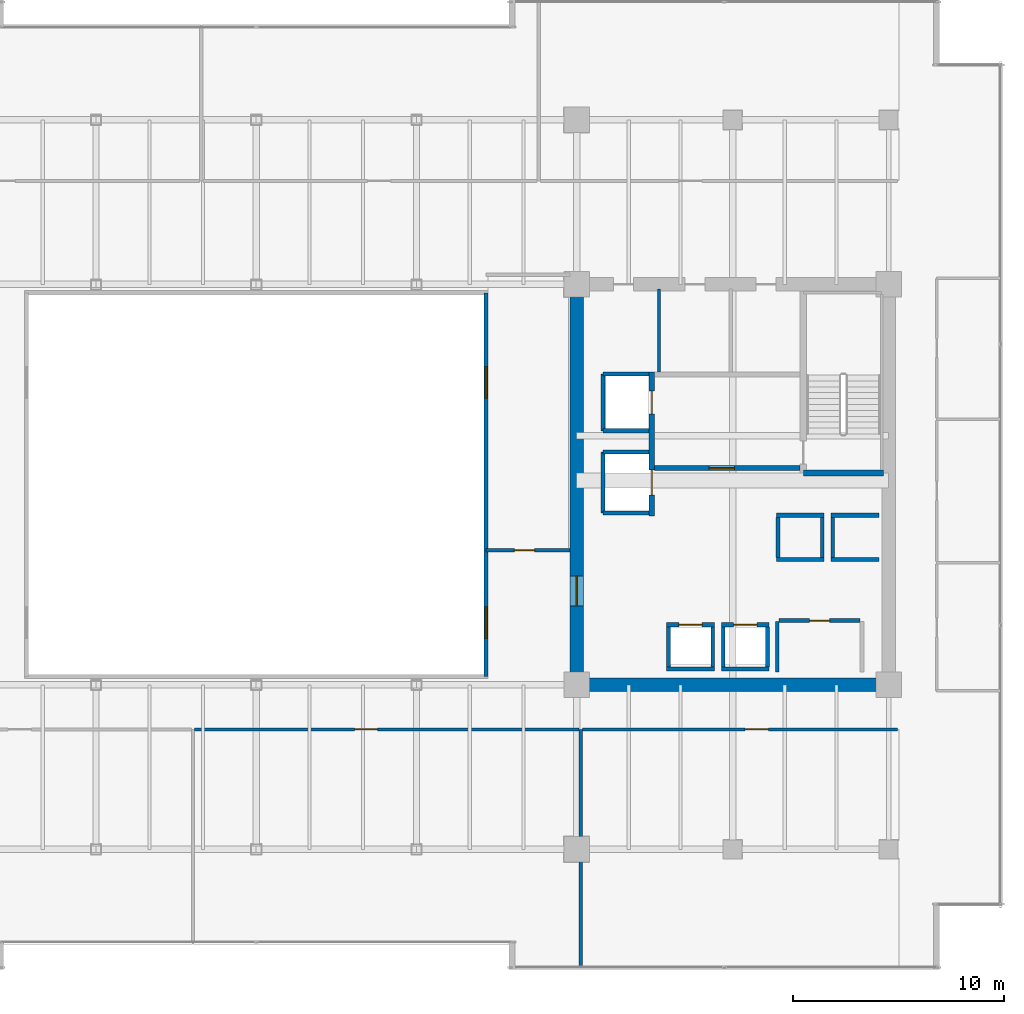
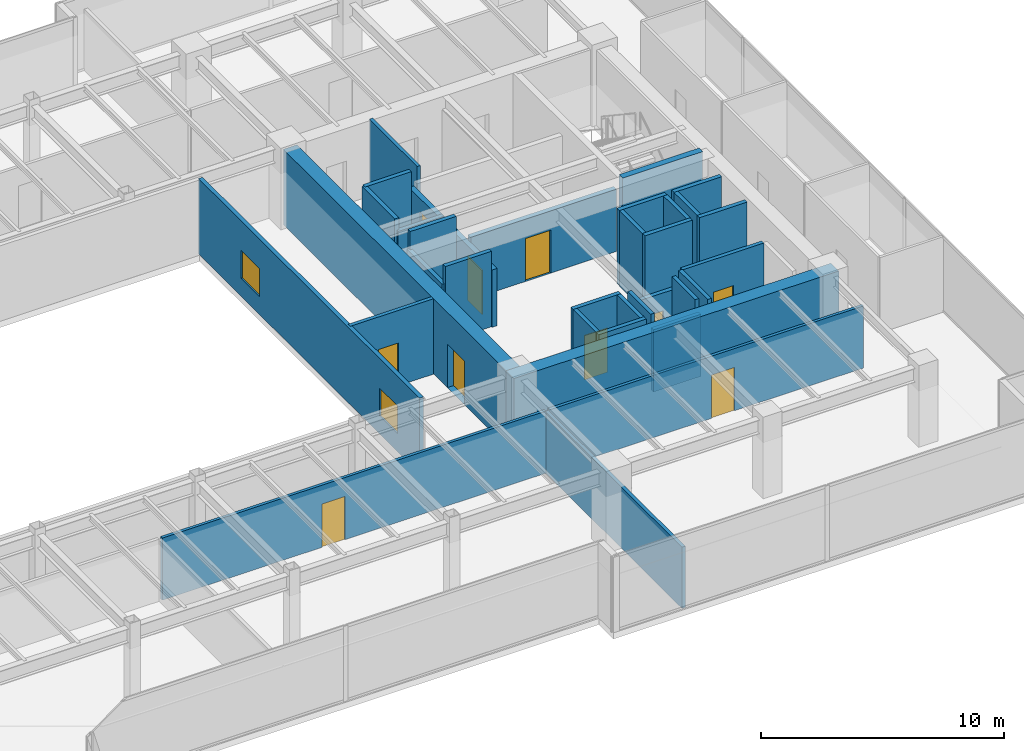
# One storey, part 26 of 33: 34 walls, 10 doors, 2 windows, 12 openings.
"""IFC4 building model written with IfcOpenShell, lengths in metres."""

from ifc_helpers import new_model, si_unit, direction, frame, frame_2d, origin, place, context, subcontext, project, spatial, rectangle, extrude, source, transform, mapped, material, layer, layer_set, type_object, type_shapes, element, fill, save


model = new_model("IFC4")

# Units and contexts
model_context = context("Model", 3, precision=1e-05, world=origin(), true_north=direction((0.0, 1.0)))
body_context = subcontext(model_context, "Body", "Model", "MODEL_VIEW")
ifc_project = project(units=[si_unit("LENGTHUNIT", "METRE"), si_unit("AREAUNIT", "SQUARE_METRE"), si_unit("VOLUMEUNIT", "CUBIC_METRE"), si_unit("PLANEANGLEUNIT", "RADIAN"), si_unit("MASSUNIT", "GRAM", prefix="KILO")], contexts=[model_context])

# Site, building, storey
site_placement = place(None, origin())
site = spatial("IfcSite", under=ifc_project, at=site_placement, CompositionType="ELEMENT")
building_placement = place(site_placement, origin())
building = spatial("IfcBuilding", under=site, at=building_placement, Name="Haelvirn Gate Laboratories", CompositionType="ELEMENT")
storey_placement = place(building_placement, frame((0.0, 0.0, 117.39990234375)))
storey = spatial("IfcBuildingStorey", under=building, at=storey_placement, Name="L28", CompositionType="ELEMENT", Elevation=117.39990234375)

# Wall
ifc_material_1 = material(Name="Double-layer acoustic gypsum laboratory partition", Category="gypsum")
ifc_layer_1 = layer(ifc_material_1, 0.159912109375, Name="IW-ACOUST-160")
ifc_layer_set_1 = layer_set([ifc_layer_1], Name="Double-layer acoustic gypsum laboratory partition")
wall_type_1 = type_object("IfcWallType", Name="IW-ACOUST-160", PredefinedType="PARTITIONING", material=ifc_layer_set_1)
wall_1_placement = place(storey_placement, frame((52.800048828125, 1.409912109375, 0.0), z_axis=(0.0, 0.0, 1.0), x_axis=(0.0, 1.0, 0.0)))
element("IfcWall", 1, at=wall_1_placement, inside=storey, type_object=wall_type_1, Name="L28 Interior Wall IW-L28-SDIV-03", PredefinedType="PARTITIONING", context=body_context, shape_type="SweptSolid", body=[
    extrude(rectangle(XDim=11.280029296875, YDim=0.159912109375, at=frame_2d((5.64013671875, 0.0))), origin(), (0.0, 0.0, 1.0), 3.0751953125),
])

# Wall, opening, door
ifc_material_2 = material(Name="Fire-rated acoustic gypsum board partition", Category="gypsum")
ifc_layer_2 = layer(ifc_material_2, 0.175048828125, Name="IW-ACOUST-180")
ifc_layer_set_2 = layer_set([ifc_layer_2], Name="Fire-rated acoustic gypsum board partition")
wall_type_2 = type_object("IfcWallType", Name="IW-ACOUST-180", PredefinedType="PARTITIONING", material=ifc_layer_set_2)
wall_2_placement = place(storey_placement, frame((48.300048828125, 21.179931640625, 0.0), z_axis=(0.0, 0.0, 1.0), x_axis=(1.0, 0.0, 0.0)))
wall_2 = element("IfcWall", 2, at=wall_2_placement, inside=storey, type_object=wall_type_2, Name="L28 Interior Wall IW-L28-ASEM-S", PredefinedType="PARTITIONING", context=body_context, shape_type="SweptSolid", body=[
    extrude(rectangle(XDim=3.974853515625, YDim=0.175048828125, at=frame_2d((1.9873046875, 0.0))), origin(), (0.0, 0.0, 1.0), 3.7900390625),
])
opening_1_placement = place(wall_2_placement, frame((1.35009765625, 0.0, 0.0)))
opening_1 = element("IfcOpeningElement", 3, at=opening_1_placement, cuts=wall_2, Name="Opening FD4", PredefinedType="OPENING", context=body_context, shape_type="SweptSolid", body=[
    extrude(rectangle(XDim=0.949951171875, YDim=2.14990234375, at=frame_2d((0.47509765625, 1.074951171875))), frame((0.0, 0.09765625, 0.0), z_axis=(0.0, -1.0, 0.0), x_axis=(1.0, 0.0, 0.0)), (0.0, 0.0, 1.0), 0.195068359375),
])
ifc_material_3 = material(Name="Fire-rated steel SM355 core service door", Category="steel")
door_type_1 = type_object("IfcDoorType", Name="DR-FD-950", OperationType="NOTDEFINED", PredefinedType="DOOR", material=ifc_material_3)
shared_shape_1 = source(origin(), body_context, "Body", "SweptSolid", [
    extrude(rectangle(XDim=0.949951171875, YDim=2.14990234375, at=frame_2d((0.47509765625, 1.074951171875))), frame((0.0, 0.02490234375, 0.0), z_axis=(0.0, -1.0, 0.0), x_axis=(1.0, 0.0, 0.0)), (0.0, 0.0, 1.0), 0.050048828125),
])
type_shapes(door_type_1, [shared_shape_1])
door_1_placement = place(opening_1_placement, origin())
door_1 = element("IfcDoor", 4, at=door_1_placement, inside=storey, type_object=door_type_1, Name="L28 Atrium Bioinformatics Suite Door", OperationType="SINGLE_SWING_LEFT", OverallHeight=2.14990234375, OverallWidth=0.949951171875, PredefinedType="DOOR", context=body_context, shape_type="MappedRepresentation", body=[
    mapped(shared_shape_1, transform((0.0, 0.0, 0.0), scale=1.0)),
])
fill(opening_1, door_1)

# Wall, openings, windows
ifc_material_4 = material(Name="Tempered fire-rated borosilicate glass & anodised aluminium", Category="aluminium")
ifc_layer_3 = layer(ifc_material_4, 0.195068359375, Name="IW-GLAZ-200")
ifc_layer_set_3 = layer_set([ifc_layer_3], Name="Tempered fire-rated borosilicate glass & anodised aluminium")
wall_type_3 = type_object("IfcWallType", Name="IW-GLAZ-200", PredefinedType="SOLIDWALL", material=ifc_layer_set_3)
wall_3_placement = place(storey_placement, frame((48.300048828125, 15.199951171875, 0.0), z_axis=(0.0, 0.0, 1.0), x_axis=(0.0, 1.0, 0.0)))
wall_3 = element("IfcWall", 5, at=wall_3_placement, inside=storey, type_object=wall_type_3, Name="L28 Interior Wall IW-L28-ATRIUM-E", PredefinedType="SOLIDWALL", context=body_context, shape_type="SweptSolid", body=[
    extrude(rectangle(XDim=18.199951171875, YDim=0.195068359375, at=frame_2d((9.10009765625, 0.0))), origin(), (0.0, 0.0, 1.0), 3.7900390625),
])
opening_2_placement = place(wall_3_placement, frame((1.800048828125, 0.0, 0.89990234375)))
opening_2 = element("IfcOpeningElement", 6, at=opening_2_placement, cuts=wall_3, Name="Opening W5", PredefinedType="OPENING", context=body_context, shape_type="SweptSolid", body=[
    extrude(rectangle(XDim=1.5, YDim=1.39990234375, at=frame_2d((0.75, 0.699951171875))), frame((0.0, 0.107421875, 0.0), z_axis=(0.0, -1.0, 0.0), x_axis=(1.0, 0.0, 0.0)), (0.0, 0.0, 1.0), 0.215087890625),
])
opening_3_placement = place(wall_3_placement, frame((13.199951171875, 0.0, 0.89990234375)))
opening_3 = element("IfcOpeningElement", 7, at=opening_3_placement, cuts=wall_3, Name="Opening W5", PredefinedType="OPENING", context=body_context, shape_type="SweptSolid", body=[
    extrude(rectangle(XDim=1.5, YDim=1.39990234375, at=frame_2d((0.75, 0.699951171875))), frame((0.0, 0.107421875, 0.0), z_axis=(0.0, -1.0, 0.0), x_axis=(1.0, 0.0, 0.0)), (0.0, 0.0, 1.0), 0.215087890625),
])
ifc_material_5 = material(Name="Fire-rated EI 120 borosilicate atrium vision glazing", Category="glass")
window_type = type_object("IfcWindowType", Name="WN-ATR-1500", PartitioningType="SINGLE_PANEL", PredefinedType="WINDOW", material=ifc_material_5)
shared_shape_2 = source(origin(), body_context, "Body", "SweptSolid", [
    extrude(rectangle(XDim=1.5, YDim=1.39990234375, at=frame_2d((0.75, 0.699951171875))), frame((0.0, 0.030029296875, 0.0), z_axis=(0.0, -1.0, 0.0), x_axis=(1.0, 0.0, 0.0)), (0.0, 0.0, 1.0), 0.06005859375),
])
type_shapes(window_type, [shared_shape_2])
window_1_placement = place(opening_2_placement, origin())
window_1 = element("IfcWindow", 8, at=window_1_placement, inside=storey, type_object=window_type, Name="L28 Atrium Observation Window 1", OverallHeight=1.39990234375, OverallWidth=1.5, PartitioningType="SINGLE_PANEL", PredefinedType="WINDOW", context=body_context, shape_type="MappedRepresentation", body=[
    mapped(shared_shape_2, transform((0.0, 0.0, 0.0), scale=1.0)),
])
fill(opening_2, window_1)
window_2_placement = place(opening_3_placement, origin())
window_2 = element("IfcWindow", 9, at=window_2_placement, inside=storey, type_object=window_type, Name="L28 Atrium Observation Window 2", OverallHeight=1.39990234375, OverallWidth=1.5, PartitioningType="SINGLE_PANEL", PredefinedType="WINDOW", context=body_context, shape_type="MappedRepresentation", body=[
    mapped(shared_shape_2, transform((0.0, 0.0, 0.0), scale=1.0)),
])
fill(opening_3, window_2)

# Wall, opening, door
ifc_material_6 = material(Name="Acoustic mineral-wool gypsum board partition", Category="gypsum")
ifc_layer_4 = layer(ifc_material_6, 0.139892578125, Name="IW-PART-140")
ifc_layer_set_4 = layer_set([ifc_layer_4], Name="Acoustic mineral-wool gypsum board partition")
wall_type_4 = type_object("IfcWallType", Name="IW-PART-140", PredefinedType="PARTITIONING", material=ifc_layer_set_4)
wall_4_placement = place(storey_placement, frame((34.47998046875, 12.68994140625, 0.0), z_axis=(0.0, 0.0, 1.0), x_axis=(1.0, 0.0, 0.0)))
wall_4 = element("IfcWall", 10, at=wall_4_placement, inside=storey, type_object=wall_type_4, Name="L28 Interior Wall IW-L28-SCORR-03", PredefinedType="PARTITIONING", context=body_context, shape_type="SweptSolid", body=[
    extrude(rectangle(XDim=18.239990234375, YDim=0.139892578125, at=frame_2d((9.1201171875, 0.0))), origin(), (0.0, 0.0, 1.0), 3.125),
])
opening_4_placement = place(wall_4_placement, frame((7.58349609375, 0.0, 0.0)))
opening_4 = element("IfcOpeningElement", 11, at=opening_4_placement, cuts=wall_4, Name="Opening D1", PredefinedType="OPENING", context=body_context, shape_type="SweptSolid", body=[
    extrude(rectangle(XDim=1.10009765625, YDim=2.179931640625, at=frame_2d((0.550048828125, 1.08984375))), frame((0.0, 0.080078125, 0.0), z_axis=(0.0, -1.0, 0.0), x_axis=(1.0, 0.0, 0.0)), (0.0, 0.0, 1.0), 0.159912109375),
])
ifc_material_7 = material(Name="Vision-panel acoustic solid-core timber lab door", Category="wood")
door_type_2 = type_object("IfcDoorType", Name="DR-LAB-1100", OperationType="NOTDEFINED", PredefinedType="DOOR", material=ifc_material_7)
shared_shape_3 = source(origin(), body_context, "Body", "SweptSolid", [
    extrude(rectangle(XDim=1.10009765625, YDim=2.179931640625, at=frame_2d((0.550048828125, 1.08984375))), frame((0.0, 0.02490234375, 0.0), z_axis=(0.0, -1.0, 0.0), x_axis=(1.0, 0.0, 0.0)), (0.0, 0.0, 1.0), 0.050048828125),
])
type_shapes(door_type_2, [shared_shape_3])
door_2_placement = place(opening_4_placement, origin())
door_2 = element("IfcDoor", 12, at=door_2_placement, inside=storey, type_object=door_type_2, Name="L28 Bioinformatics Dry-Lab Workspace Door S3", OperationType="SINGLE_SWING_LEFT", OverallHeight=2.179931640625, OverallWidth=1.10009765625, PredefinedType="DOOR", context=body_context, shape_type="MappedRepresentation", body=[
    mapped(shared_shape_3, transform((0.0, 0.0, 0.0), scale=1.0)),
])
fill(opening_4, door_2)

wall_5_placement = place(storey_placement, frame((52.8798828125, 12.68994140625, 0.0), z_axis=(0.0, 0.0, 1.0), x_axis=(1.0, 0.0, 0.0)))
wall_5 = element("IfcWall", 13, at=wall_5_placement, inside=storey, type_object=wall_type_4, Name="L28 Interior Wall IW-L28-SCORR-04", PredefinedType="PARTITIONING", context=body_context, shape_type="SweptSolid", body=[
    extrude(rectangle(XDim=14.940185546875, YDim=0.139892578125, at=frame_2d((7.47021484375, 0.0))), origin(), (0.0, 0.0, 1.0), 3.125),
])
opening_5_placement = place(wall_5_placement, frame((7.70849609375, 0.0, 0.0)))
opening_5 = element("IfcOpeningElement", 14, at=opening_5_placement, cuts=wall_5, Name="Opening D1", PredefinedType="OPENING", context=body_context, shape_type="SweptSolid", body=[
    extrude(rectangle(XDim=1.10009765625, YDim=2.179931640625, at=frame_2d((0.550048828125, 1.08984375))), frame((0.0, 0.080078125, 0.0), z_axis=(0.0, -1.0, 0.0), x_axis=(1.0, 0.0, 0.0)), (0.0, 0.0, 1.0), 0.159912109375),
])
door_3_placement = place(opening_5_placement, origin())
door_3 = element("IfcDoor", 15, at=door_3_placement, inside=storey, type_object=door_type_2, Name="L28 Translational Data Office Door S4", OperationType="SINGLE_SWING_RIGHT", OverallHeight=2.179931640625, OverallWidth=1.10009765625, PredefinedType="DOOR", context=body_context, shape_type="MappedRepresentation", body=[
    mapped(shared_shape_3, transform((0.0, 0.0, 0.0), scale=1.0)),
])
fill(opening_5, door_3)

# Walls
ifc_material_8 = material(Name="Cement-board restroom plumbing chase wall", Category="gypsum")
ifc_layer_5 = layer(ifc_material_8, 0.155029296875, Name="IW-PLUMB-160")
ifc_layer_set_5 = layer_set([ifc_layer_5], Name="Cement-board restroom plumbing chase wall")
wall_type_5 = type_object("IfcWallType", Name="IW-PLUMB-160", PredefinedType="PLUMBINGWALL", material=ifc_layer_set_5)
wall_6_placement = place(storey_placement, frame((56.510009765625, 29.64990234375, 0.0), z_axis=(0.0, 0.0, 1.0), x_axis=(0.0, 1.0, 0.0)))
element("IfcWall", 16, at=wall_6_placement, inside=storey, type_object=wall_type_5, Name="L28 Interior Wall IW-L28-E-CDIV-2", PredefinedType="PLUMBINGWALL", context=body_context, shape_type="SweptSolid", body=[
    extrude(rectangle(XDim=3.93017578125, YDim=0.155029296875, at=frame_2d((1.965087890625, 0.0))), origin(), (0.0, 0.0, 1.0), 3.7900390625),
])
ifc_material_9 = material(Name="Concrete C40/50", Category="concrete")
ifc_layer_6 = layer(ifc_material_9, 0.179931640625, Name="IW-SHAFT-180")
ifc_layer_set_6 = layer_set([ifc_layer_6], Name="Concrete C40/50")
wall_type_6 = type_object("IfcWallType", Name="IW-SHAFT-180", PredefinedType="SOLIDWALL", material=ifc_layer_set_6)
for number, where, z_axis, x_axis, name in (
    (17, (59.550048828125, 15.64990234375, 0.0), (0.0, 0.0, 1.0), (0.0, 1.0, 0.0), "L28 Interior Wall IW-L28-PL7-SD"),
    (18, (61.64990234375, 15.64990234375, 0.0), (0.0, 0.0, 1.0), (0.0, 1.0, 0.0), "L28 Interior Wall IW-L28-PL7-SDE"),
    (19, (56.949951171875, 15.64990234375, 0.0), (0.0, 0.0, 1.0), (0.0, 1.0, 0.0), "L28 Interior Wall IW-L28-PL8-SD"),
    (20, (59.050048828125, 15.64990234375, 0.0), (0.0, 0.0, 1.0), (0.0, 1.0, 0.0), "L28 Interior Wall IW-L28-PL8-SDE"),
):
    element("IfcWall", number, at=place(storey_placement, frame(where, z_axis=z_axis, x_axis=x_axis)), inside=storey, type_object=wall_type_6, Name=name, PredefinedType="SOLIDWALL", context=body_context, shape_type="SweptSolid", body=[
        extrude(rectangle(XDim=1.900146484375, YDim=0.179931640625, at=frame_2d((0.9501953125, 0.0))), origin(), (0.0, 0.0, 1.0), 3.7900390625),
    ])
for number, where, z_axis, x_axis, name in (
    (21, (64.75, 20.85009765625, 0.0), (0.0, 0.0, 1.0), (0.0, 1.0, 0.0), "L28 Interior Wall IW-L28-PL11-SD"),
    (22, (62.14990234375, 20.85009765625, 0.0), (0.0, 0.0, 1.0), (0.0, 1.0, 0.0), "L28 Interior Wall IW-L28-PL12-SD"),
    (23, (64.25, 20.85009765625, 0.0), (0.0, 0.0, 1.0), (0.0, 1.0, 0.0), "L28 Interior Wall IW-L28-PL12-SDE"),
):
    element("IfcWall", number, at=place(storey_placement, frame(where, z_axis=z_axis, x_axis=x_axis)), inside=storey, type_object=wall_type_6, Name=name, PredefinedType="SOLIDWALL", context=body_context, shape_type="SweptSolid", body=[
        extrude(rectangle(XDim=1.89990234375, YDim=0.179931640625, at=frame_2d((0.949951171875, 0.0))), origin(), (0.0, 0.0, 1.0), 3.7900390625),
    ])

# Wall, opening, door
wall_7_placement = place(storey_placement, frame((62.199951171875, 17.85009765625, 0.0), z_axis=(0.0, 0.0, 1.0), x_axis=(1.0, 0.0, 0.0)))
wall_7 = element("IfcWall", 24, at=wall_7_placement, inside=storey, type_object=wall_type_6, Name="L28 Interior Wall IW-L28-E-FREED-LN-1", PredefinedType="SOLIDWALL", context=body_context, shape_type="SweptSolid", body=[
    extrude(rectangle(XDim=3.85009765625, YDim=0.179931640625, at=frame_2d((1.925048828125, 0.0))), origin(), (0.0, 0.0, 1.0), 3.7900390625),
])
opening_6_placement = place(wall_7_placement, frame((1.449951171875, 0.0, 0.0)))
opening_6 = element("IfcOpeningElement", 25, at=opening_6_placement, cuts=wall_7, Name="Opening FD4", PredefinedType="OPENING", context=body_context, shape_type="SweptSolid", body=[
    extrude(rectangle(XDim=0.949951171875, YDim=2.14990234375, at=frame_2d((0.47509765625, 1.074951171875))), frame((0.0, 0.10009765625, 0.0), z_axis=(0.0, -1.0, 0.0), x_axis=(1.0, 0.0, 0.0)), (0.0, 0.0, 1.0), 0.199951171875),
])
door_4_placement = place(opening_6_placement, origin())
door_4 = element("IfcDoor", 26, at=door_4_placement, inside=storey, type_object=door_type_1, Name="L28 Cryo-Dewar & Sterile Glassware Room Door", OperationType="SINGLE_SWING_LEFT", OverallHeight=2.14990234375, OverallWidth=0.949951171875, PredefinedType="DOOR", context=body_context, shape_type="MappedRepresentation", body=[
    mapped(shared_shape_1, transform((0.0, 0.0, 0.0), scale=1.0)),
])
fill(opening_6, door_4)

# Wall
wall_8_placement = place(storey_placement, frame((62.110107421875, 15.39990234375, 0.0), z_axis=(0.0, 0.0, 1.0), x_axis=(0.0, 1.0, 0.0)))
element("IfcWall", 27, at=wall_8_placement, inside=storey, type_object=wall_type_6, Name="L28 Interior Wall IW-L28-E-FREED-LE-1", PredefinedType="SOLIDWALL", context=body_context, shape_type="SweptSolid", body=[
    extrude(rectangle(XDim=2.400146484375, YDim=0.179931640625, at=frame_2d((1.2001953125, 0.0))), origin(), (0.0, 0.0, 1.0), 3.7900390625),
])

# Wall, opening, door
ifc_layer_7 = layer(ifc_material_9, 0.199951171875, Name="IW-SHAFT-200")
ifc_layer_set_7 = layer_set([ifc_layer_7], Name="Concrete C40/50")
wall_type_7 = type_object("IfcWallType", Name="IW-SHAFT-200", PredefinedType="SOLIDWALL", material=ifc_layer_set_7)
wall_9_placement = place(storey_placement, frame((59.469970703125, 17.64990234375, 0.0), z_axis=(0.0, 0.0, 1.0), x_axis=(1.0, 0.0, 0.0)))
wall_9 = element("IfcWall", 28, at=wall_9_placement, inside=storey, type_object=wall_type_7, Name="L28 Interior Wall IW-L28-PL7-FR", PredefinedType="SOLIDWALL", context=body_context, shape_type="SweptSolid", body=[
    extrude(rectangle(XDim=2.260009765625, YDim=0.199951171875, at=frame_2d((1.1298828125, 0.0))), origin(), (0.0, 0.0, 1.0), 3.125),
])
opening_7_placement = place(wall_9_placement, frame((0.580078125, 0.0, 0.0)))
opening_7 = element("IfcOpeningElement", 29, at=opening_7_placement, cuts=wall_9, Name="Opening LD2", PredefinedType="OPENING", context=body_context, shape_type="SweptSolid", body=[
    extrude(rectangle(XDim=1.10009765625, YDim=2.219970703125, at=frame_2d((0.550048828125, 1.10986328125))), frame((0.0, 0.10986328125, 0.0), z_axis=(0.0, -1.0, 0.0), x_axis=(1.0, 0.0, 0.0)), (0.0, 0.0, 1.0), 0.219970703125),
])
ifc_material_10 = material(Name="Bronze stainless 316L sliding lift landing door")
door_type_3 = type_object("IfcDoorType", Name="DR-LD-1100", OperationType="NOTDEFINED", PredefinedType="USERDEFINED", material=ifc_material_10)
shared_shape_4 = source(origin(), body_context, "Body", "SweptSolid", [
    extrude(rectangle(XDim=1.10009765625, YDim=2.219970703125, at=frame_2d((0.550048828125, 1.10986328125))), frame((0.0, 0.02490234375, 0.0), z_axis=(0.0, -1.0, 0.0), x_axis=(1.0, 0.0, 0.0)), (0.0, 0.0, 1.0), 0.050048828125),
])
type_shapes(door_type_3, [shared_shape_4])
door_5_placement = place(opening_7_placement, origin())
door_5 = element("IfcDoor", 30, at=door_5_placement, inside=storey, type_object=door_type_3, Name="L28 Passenger Lift PL7 Landing Door", ObjectType="LANDING_DOOR", OperationType="SLIDING_TO_LEFT", OverallHeight=2.219970703125, OverallWidth=1.10009765625, PredefinedType="USERDEFINED", context=body_context, shape_type="MappedRepresentation", body=[
    mapped(shared_shape_4, transform((0.0, 0.0, 0.0), scale=1.0)),
])
fill(opening_7, door_5)

# Wall
wall_10_placement = place(storey_placement, frame((59.469970703125, 15.550048828125, 0.0), z_axis=(0.0, 0.0, 1.0), x_axis=(1.0, 0.0, 0.0)))
element("IfcWall", 31, at=wall_10_placement, inside=storey, type_object=wall_type_7, Name="L28 Interior Wall IW-L28-PL7-BK", PredefinedType="SOLIDWALL", context=body_context, shape_type="SweptSolid", body=[
    extrude(rectangle(XDim=2.260009765625, YDim=0.199951171875, at=frame_2d((1.1298828125, 0.0))), origin(), (0.0, 0.0, 1.0), 3.125),
])

# Wall, opening, door
wall_11_placement = place(storey_placement, frame((56.8701171875, 17.64990234375, 0.0), z_axis=(0.0, 0.0, 1.0), x_axis=(1.0, 0.0, 0.0)))
wall_11 = element("IfcWall", 32, at=wall_11_placement, inside=storey, type_object=wall_type_7, Name="L28 Interior Wall IW-L28-PL8-FR", PredefinedType="SOLIDWALL", context=body_context, shape_type="SweptSolid", body=[
    extrude(rectangle(XDim=2.259765625, YDim=0.199951171875, at=frame_2d((1.1298828125, 0.0))), origin(), (0.0, 0.0, 1.0), 3.7900390625),
])
opening_8_placement = place(wall_11_placement, frame((0.580078125, 0.0, 0.0)))
opening_8 = element("IfcOpeningElement", 33, at=opening_8_placement, cuts=wall_11, Name="Opening LD2", PredefinedType="OPENING", context=body_context, shape_type="SweptSolid", body=[
    extrude(rectangle(XDim=1.10009765625, YDim=2.219970703125, at=frame_2d((0.550048828125, 1.10986328125))), frame((0.0, 0.10986328125, 0.0), z_axis=(0.0, -1.0, 0.0), x_axis=(1.0, 0.0, 0.0)), (0.0, 0.0, 1.0), 0.219970703125),
])
door_6_placement = place(opening_8_placement, origin())
door_6 = element("IfcDoor", 34, at=door_6_placement, inside=storey, type_object=door_type_3, Name="L28 Passenger Lift PL8 Landing Door", ObjectType="LANDING_DOOR", OperationType="SLIDING_TO_RIGHT", OverallHeight=2.219970703125, OverallWidth=1.10009765625, PredefinedType="USERDEFINED", context=body_context, shape_type="MappedRepresentation", body=[
    mapped(shared_shape_4, transform((0.0, 0.0, 0.0), scale=1.0)),
])
fill(opening_8, door_6)

# Walls
wall_12_placement = place(storey_placement, frame((56.8701171875, 15.550048828125, 0.0), z_axis=(0.0, 0.0, 1.0), x_axis=(1.0, 0.0, 0.0)))
element("IfcWall", 35, at=wall_12_placement, inside=storey, type_object=wall_type_7, Name="L28 Interior Wall IW-L28-PL8-BK", PredefinedType="SOLIDWALL", context=body_context, shape_type="SweptSolid", body=[
    extrude(rectangle(XDim=2.259765625, YDim=0.199951171875, at=frame_2d((1.1298828125, 0.0))), origin(), (0.0, 0.0, 1.0), 3.7900390625),
])
for number, where, z_axis, x_axis, name in (
    (36, (64.669921875, 20.75, 0.0), (0.0, 0.0, 1.0), (1.0, 0.0, 0.0), "L28 Interior Wall IW-L28-PL11-FR"),
    (37, (64.669921875, 22.85009765625, 0.0), (0.0, 0.0, 1.0), (1.0, 0.0, 0.0), "L28 Interior Wall IW-L28-PL11-BK"),
    (38, (62.070068359375, 20.75, 0.0), (0.0, 0.0, 1.0), (1.0, 0.0, 0.0), "L28 Interior Wall IW-L28-PL12-FR"),
    (39, (62.070068359375, 22.85009765625, 0.0), (0.0, 0.0, 1.0), (1.0, 0.0, 0.0), "L28 Interior Wall IW-L28-PL12-BK"),
):
    element("IfcWall", number, at=place(storey_placement, frame(where, z_axis=z_axis, x_axis=x_axis)), inside=storey, type_object=wall_type_7, Name=name, PredefinedType="SOLIDWALL", context=body_context, shape_type="SweptSolid", body=[
        extrude(rectangle(XDim=2.260009765625, YDim=0.199951171875, at=frame_2d((1.1298828125, 0.0))), origin(), (0.0, 0.0, 1.0), 3.7900390625),
    ])
wall_13_placement = place(storey_placement, frame((53.85009765625, 26.85009765625, 0.0), z_axis=(0.0, 0.0, 1.0), x_axis=(0.0, 1.0, 0.0)))
element("IfcWall", 40, at=wall_13_placement, inside=storey, type_object=wall_type_7, Name="L28 Interior Wall IW-L28-FL2-BK", PredefinedType="SOLIDWALL", context=body_context, shape_type="SweptSolid", body=[
    extrude(rectangle(XDim=2.699951171875, YDim=0.199951171875, at=frame_2d((1.35009765625, 0.0))), origin(), (0.0, 0.0, 1.0), 3.7900390625),
])
wall_14_placement = place(storey_placement, frame((53.85009765625, 29.550048828125, 0.0), z_axis=(0.0, 0.0, 1.0), x_axis=(1.0, 0.0, 0.0)))
element("IfcWall", 41, at=wall_14_placement, inside=storey, type_object=wall_type_7, Name="L28 Interior Wall IW-L28-FL2-N", PredefinedType="SOLIDWALL", context=body_context, shape_type="SweptSolid", body=[
    extrude(rectangle(XDim=2.18994140625, YDim=0.199951171875, at=frame_2d((1.094970703125, 0.0))), origin(), (0.0, 0.0, 1.0), 3.7900390625),
])
wall_15_placement = place(storey_placement, frame((53.85009765625, 26.85009765625, 0.0), z_axis=(0.0, 0.0, 1.0), x_axis=(1.0, 0.0, 0.0)))
element("IfcWall", 42, at=wall_15_placement, inside=storey, type_object=wall_type_7, Name="L28 Interior Wall IW-L28-FL2-S", PredefinedType="SOLIDWALL", context=body_context, shape_type="SweptSolid", body=[
    extrude(rectangle(XDim=2.18994140625, YDim=0.199951171875, at=frame_2d((1.094970703125, 0.0))), origin(), (0.0, 0.0, 1.0), 3.18701171875),
])
wall_16_placement = place(storey_placement, frame((53.85009765625, 22.949951171875, 0.0), z_axis=(0.0, 0.0, 1.0), x_axis=(0.0, 1.0, 0.0)))
element("IfcWall", 43, at=wall_16_placement, inside=storey, type_object=wall_type_7, Name="L28 Interior Wall IW-L28-SL2-BK", PredefinedType="SOLIDWALL", context=body_context, shape_type="SweptSolid", body=[
    extrude(rectangle(XDim=2.900146484375, YDim=0.199951171875, at=frame_2d((1.4501953125, 0.0))), origin(), (0.0, 0.0, 1.0), 2.875),
])
for number, where, z_axis, x_axis, name in (
    (44, (53.85009765625, 25.85009765625, 0.0), (0.0, 0.0, 1.0), (1.0, 0.0, 0.0), "L28 Interior Wall IW-L28-SL2-N"),
    (45, (53.85009765625, 22.949951171875, 0.0), (0.0, 0.0, 1.0), (1.0, 0.0, 0.0), "L28 Interior Wall IW-L28-SL2-S"),
):
    element("IfcWall", number, at=place(storey_placement, frame(where, z_axis=z_axis, x_axis=x_axis)), inside=storey, type_object=wall_type_7, Name=name, PredefinedType="SOLIDWALL", context=body_context, shape_type="SweptSolid", body=[
        extrude(rectangle(XDim=2.18994140625, YDim=0.199951171875, at=frame_2d((1.094970703125, 0.0))), origin(), (0.0, 0.0, 1.0), 3.7900390625),
    ])

# Wall, opening, door
ifc_layer_8 = layer(ifc_material_9, 0.239990234375, Name="IW-SHAFT-240")
ifc_layer_set_8 = layer_set([ifc_layer_8], Name="Concrete C40/50")
wall_type_8 = type_object("IfcWallType", Name="IW-SHAFT-240", PredefinedType="SOLIDWALL", material=ifc_layer_set_8)
wall_17_placement = place(storey_placement, frame((56.280029296875, 25.080078125, 0.0), z_axis=(0.0, 0.0, 1.0), x_axis=(1.0, 0.0, 0.0)))
wall_17 = element("IfcWall", 46, at=wall_17_placement, inside=storey, type_object=wall_type_8, Name="L28 Interior Wall IW-L28-E-FF-S", PredefinedType="SOLIDWALL", context=body_context, shape_type="SweptSolid", body=[
    extrude(rectangle(XDim=6.919921875, YDim=0.239990234375, at=frame_2d((3.4599609375, 0.0))), origin(), (0.0, 0.0, 1.0), 3.125),
])
opening_9_placement = place(wall_17_placement, frame((2.60009765625, 0.0, 0.0)))
opening_9 = element("IfcOpeningElement", 47, at=opening_9_placement, cuts=wall_17, Name="Opening FD2", PredefinedType="OPENING", context=body_context, shape_type="SweptSolid", body=[
    extrude(rectangle(XDim=1.199951171875, YDim=2.159912109375, at=frame_2d((0.60009765625, 1.080078125))), frame((0.0, 0.1298828125, 0.0), z_axis=(0.0, -1.0, 0.0), x_axis=(1.0, 0.0, 0.0)), (0.0, 0.0, 1.0), 0.260009765625),
])
ifc_material_11 = material(Name="Fire-rated steel SM355 compartment door", Category="steel")
door_type_4 = type_object("IfcDoorType", Name="DR-FD-1200", OperationType="NOTDEFINED", PredefinedType="DOOR", material=ifc_material_11)
shared_shape_5 = source(origin(), body_context, "Body", "SweptSolid", [
    extrude(rectangle(XDim=1.199951171875, YDim=2.159912109375, at=frame_2d((0.60009765625, 1.080078125))), frame((0.0, 0.02490234375, 0.0), z_axis=(0.0, -1.0, 0.0), x_axis=(1.0, 0.0, 0.0)), (0.0, 0.0, 1.0), 0.050048828125),
])
type_shapes(door_type_4, [shared_shape_5])
door_7_placement = place(opening_9_placement, origin())
door_7 = element("IfcDoor", 48, at=door_7_placement, inside=storey, type_object=door_type_4, Name="L28 East Firefighting Lobby Door", OperationType="SINGLE_SWING_LEFT", OverallHeight=2.159912109375, OverallWidth=1.199951171875, PredefinedType="DOOR", context=body_context, shape_type="MappedRepresentation", body=[
    mapped(shared_shape_5, transform((0.0, 0.0, 0.0), scale=1.0)),
])
fill(opening_9, door_7)

# Wall, openings, doors
wall_18_placement = place(storey_placement, frame((56.159912109375, 22.800048828125, 0.0), z_axis=(0.0, 0.0, 1.0), x_axis=(0.0, 1.0, 0.0)))
wall_18 = element("IfcWall", 49, at=wall_18_placement, inside=storey, type_object=wall_type_8, Name="L28 Interior Wall IW-L28-E-FF-E", PredefinedType="SOLIDWALL", context=body_context, shape_type="SweptSolid", body=[
    extrude(rectangle(XDim=6.849853515625, YDim=0.239990234375, at=frame_2d((3.4248046875, 0.0))), origin(), (0.0, 0.0, 1.0), 2.875),
])
opening_10_placement = place(wall_18_placement, frame((4.85009765625, 0.0, 0.0)))
opening_10 = element("IfcOpeningElement", 50, at=opening_10_placement, cuts=wall_18, Name="Opening LD2", PredefinedType="OPENING", context=body_context, shape_type="SweptSolid", body=[
    extrude(rectangle(XDim=1.10009765625, YDim=2.219970703125, at=frame_2d((0.550048828125, 1.10986328125))), frame((0.0, 0.1298828125, 0.0), z_axis=(0.0, -1.0, 0.0), x_axis=(1.0, 0.0, 0.0)), (0.0, 0.0, 1.0), 0.260009765625),
])
opening_11_placement = place(wall_18_placement, frame((1.0, 0.0, 0.0)))
opening_11 = element("IfcOpeningElement", 51, at=opening_11_placement, cuts=wall_18, Name="Opening LD1", PredefinedType="OPENING", context=body_context, shape_type="SweptSolid", body=[
    extrude(rectangle(XDim=1.199951171875, YDim=2.219970703125, at=frame_2d((0.60009765625, 1.10986328125))), frame((0.0, 0.1298828125, 0.0), z_axis=(0.0, -1.0, 0.0), x_axis=(1.0, 0.0, 0.0)), (0.0, 0.0, 1.0), 0.260009765625),
])
door_8_placement = place(opening_10_placement, origin())
door_8 = element("IfcDoor", 52, at=door_8_placement, inside=storey, type_object=door_type_3, Name="L28 Firefighting Lift FL2 Landing Door", ObjectType="LANDING_DOOR", OperationType="SLIDING_TO_RIGHT", OverallHeight=2.219970703125, OverallWidth=1.10009765625, PredefinedType="USERDEFINED", context=body_context, shape_type="MappedRepresentation", body=[
    mapped(shared_shape_4, transform((0.0, 0.0, 0.0), scale=1.0)),
])
fill(opening_10, door_8)
ifc_material_12 = material(Name="Stainless steel 316L sliding goods landing door", Category="steel")
door_type_5 = type_object("IfcDoorType", Name="DR-LD-1200", OperationType="NOTDEFINED", PredefinedType="USERDEFINED", material=ifc_material_12)
shared_shape_6 = source(origin(), body_context, "Body", "SweptSolid", [
    extrude(rectangle(XDim=1.199951171875, YDim=2.219970703125, at=frame_2d((0.60009765625, 1.10986328125))), frame((0.0, 0.02490234375, 0.0), z_axis=(0.0, -1.0, 0.0), x_axis=(1.0, 0.0, 0.0)), (0.0, 0.0, 1.0), 0.050048828125),
])
type_shapes(door_type_5, [shared_shape_6])
door_9_placement = place(opening_11_placement, origin())
door_9 = element("IfcDoor", 53, at=door_9_placement, inside=storey, type_object=door_type_5, Name="L28 Service Lift SL2 Landing Door", ObjectType="LANDING_DOOR", OperationType="SLIDING_TO_LEFT", OverallHeight=2.219970703125, OverallWidth=1.199951171875, PredefinedType="USERDEFINED", context=body_context, shape_type="MappedRepresentation", body=[
    mapped(shared_shape_6, transform((0.0, 0.0, 0.0), scale=1.0)),
])
fill(opening_11, door_9)

# Wall
ifc_material_13 = material(Name="Concrete C60/75", Category="concrete")
ifc_layer_9 = layer(ifc_material_13, 0.64990234375, Name="SW-CORE-650")
ifc_layer_set_9 = layer_set([ifc_layer_9], Name="Concrete C60/75")
wall_type_9 = type_object("IfcWallType", Name="SW-CORE-650", PredefinedType="SHEAR", material=ifc_layer_set_9)
wall_19_placement = place(storey_placement, frame((52.27490234375, 14.800048828125, 0.0), z_axis=(0.0, 0.0, 1.0), x_axis=(1.0, 0.0, 0.0)))
element("IfcWall", 54, at=wall_19_placement, inside=storey, type_object=wall_type_9, Name="L28 E Core Shear Wall S", PredefinedType="SHEAR", context=body_context, shape_type="SweptSolid", body=[
    extrude(rectangle(XDim=15.4501953125, YDim=0.64990234375, at=frame_2d((7.72509765625, 0.0))), origin(), (0.0, 0.0, 1.0), 3.7900390625),
])

# Wall, opening, door
wall_20_placement = place(storey_placement, frame((52.60009765625, 15.125, 0.0), z_axis=(0.0, 0.0, 1.0), x_axis=(0.0, 1.0, 0.0)))
wall_20 = element("IfcWall", 55, at=wall_20_placement, inside=storey, type_object=wall_type_9, Name="L28 E Core Shear Wall W", PredefinedType="SHEAR", context=body_context, shape_type="SweptSolid", body=[
    extrude(rectangle(XDim=18.35009765625, YDim=0.64990234375, at=frame_2d((9.175048828125, 0.0))), origin(), (0.0, 0.0, 1.0), 3.7900390625),
])
opening_12_placement = place(wall_20_placement, frame((3.425048828125, 0.0, 0.0)))
opening_12 = element("IfcOpeningElement", 56, at=opening_12_placement, cuts=wall_20, Name="Opening FD1", PredefinedType="OPENING", context=body_context, shape_type="SweptSolid", body=[
    extrude(rectangle(XDim=1.419921875, YDim=2.199951171875, at=frame_2d((0.7099609375, 1.10009765625))), frame((0.0, 0.3349609375, 0.0), z_axis=(0.0, -1.0, 0.0), x_axis=(1.0, 0.0, 0.0)), (0.0, 0.0, 1.0), 0.669921875),
])
ifc_material_14 = material(Name="Fire-rated double steel SM355 lobby door", Category="steel")
door_type_6 = type_object("IfcDoorType", Name="DR-FD-1400", OperationType="NOTDEFINED", PredefinedType="DOOR", material=ifc_material_14)
shared_shape_7 = source(origin(), body_context, "Body", "SweptSolid", [
    extrude(rectangle(XDim=1.419921875, YDim=2.199951171875, at=frame_2d((0.7099609375, 1.10009765625))), frame((0.0, 0.02490234375, 0.0), z_axis=(0.0, -1.0, 0.0), x_axis=(1.0, 0.0, 0.0)), (0.0, 0.0, 1.0), 0.050048828125),
])
type_shapes(door_type_6, [shared_shape_7])
door_10_placement = place(opening_12_placement, origin())
door_10 = element("IfcDoor", 57, at=door_10_placement, inside=storey, type_object=door_type_6, Name="L28 East Core Lift Lobby Fire Door", OperationType="DOUBLE_DOOR_SINGLE_SWING", OverallHeight=2.199951171875, OverallWidth=1.419921875, PredefinedType="DOOR", context=body_context, shape_type="MappedRepresentation", body=[
    mapped(shared_shape_7, transform((0.0, 0.0, 0.0), scale=1.0)),
])
fill(opening_12, door_10)

# Wall
ifc_material_15 = material(Name="Concrete C50/60", Category="concrete")
ifc_layer_10 = layer(ifc_material_15, 0.300048828125, Name="SW-STAIR-300")
ifc_layer_set_10 = layer_set([ifc_layer_10], Name="Concrete C50/60")
wall_type_10 = type_object("IfcWallType", Name="SW-STAIR-300", PredefinedType="SHEAR", material=ifc_layer_set_10)
wall_21_placement = place(storey_placement, frame((63.35009765625, 24.85009765625, 0.0), z_axis=(0.0, 0.0, 1.0), x_axis=(1.0, 0.0, 0.0)))
element("IfcWall", 58, at=wall_21_placement, inside=storey, type_object=wall_type_10, Name="L28 E Core Stair Shaft Structural Wall S", PredefinedType="SHEAR", context=body_context, shape_type="SweptSolid", body=[
    extrude(rectangle(XDim=3.7998046875, YDim=0.300048828125, at=frame_2d((1.89990234375, 0.0))), origin(), (0.0, 0.0, 1.0), 3.7900390625),
])

save(model, "model.ifc")
